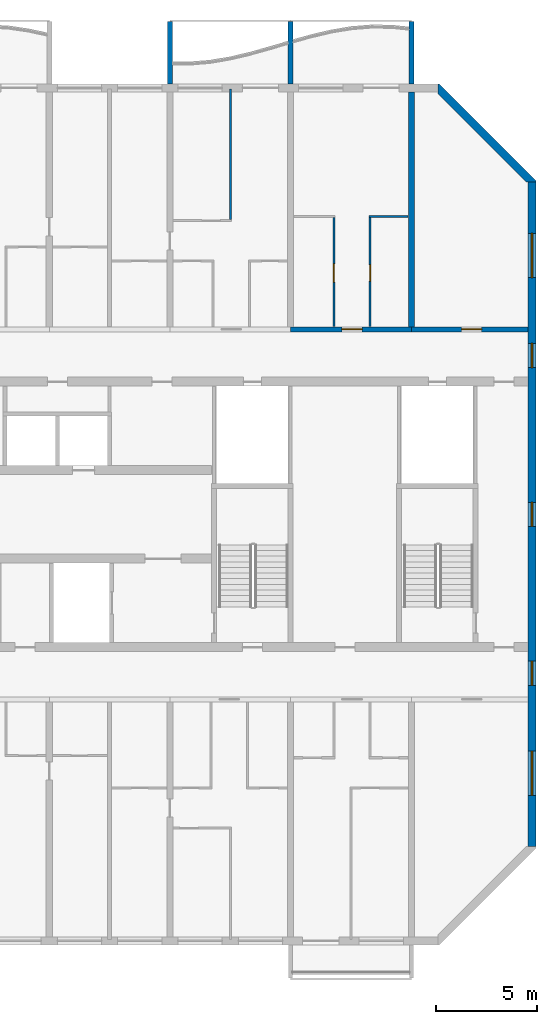
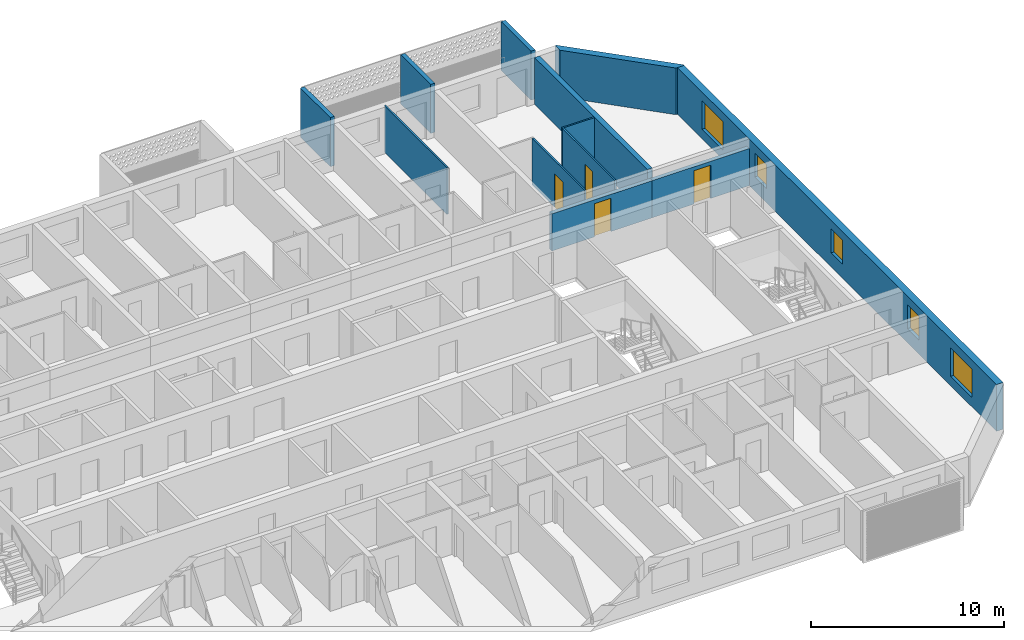
# One storey, part 11 of 26: 12 walls, 5 windows, 4 doors, 9 openings.
"""IFC4 building model written with IfcOpenShell, lengths in metres."""

from ifc_helpers import new_model, si_unit, direction, frame, frame_2d, origin, place, context, subcontext, project, spatial, polyline, rectangle, outline, extrude, source, transform, mapped, material, layer, layer_set, type_object, element, fill, save


model = new_model("IFC4")

# Units and contexts
model_context = context("Model", 3, precision=1e-05, world=origin(), true_north=direction((0.0, 1.0)))
body_context = subcontext(model_context, "Body", "Model", "MODEL_VIEW")
ifc_project = project(units=[si_unit("LENGTHUNIT", "METRE"), si_unit("AREAUNIT", "SQUARE_METRE"), si_unit("VOLUMEUNIT", "CUBIC_METRE"), si_unit("PLANEANGLEUNIT", "RADIAN"), si_unit("MASSUNIT", "GRAM", prefix="KILO")], contexts=[model_context])

# Site, building, storey
site_placement = place(None, origin())
site = spatial("IfcSite", under=ifc_project, at=site_placement, CompositionType="ELEMENT")
building_placement = place(site_placement, origin())
building = spatial("IfcBuilding", under=site, at=building_placement, Name="Poui Terraces", CompositionType="ELEMENT")
storey_placement = place(building_placement, frame((0.0, 0.0, 162.0)))
storey = spatial("IfcBuildingStorey", under=building, at=storey_placement, Name="L45", CompositionType="ELEMENT", Elevation=162.0)

# Wall, opening, door
ifc_material_1 = material(Name="Concrete 65 MPa", Category="concrete")
ifc_layer_1 = layer(ifc_material_1, 0.25)
ifc_layer_set_1 = layer_set([ifc_layer_1], Name="Concrete 65 MPa")
wall_type_1 = type_object("IfcWallType", Name="CORRIDOR WALL 250 65MPa", PredefinedType="SHEAR", material=ifc_layer_set_1)
wall_1_placement = place(storey_placement, frame((72.0, 30.39990234375, 0.0), z_axis=(0.0, 0.0, 1.0), x_axis=(1.0, 0.0, 0.0)))
wall_1 = element("IfcWall", 1, at=wall_1_placement, inside=storey, type_object=wall_type_1, Name="CORRIDOR WALL LINE E BAY 10", PredefinedType="SHEAR", context=body_context, shape_type="SweptSolid", body=[
    extrude(rectangle(XDim=6.0, YDim=0.25, at=frame_2d((3.0, 0.0))), origin(), (0.0, 0.0, 1.0), 2.35009765625),
])
opening_1_placement = place(wall_1_placement, frame((2.550048828125, 0.0, 0.0)))
opening_1 = element("IfcOpeningElement", 2, at=opening_1_placement, cuts=wall_1, Name="Opening FD30S", PredefinedType="OPENING", context=body_context, shape_type="SweptSolid", body=[
    extrude(rectangle(XDim=1.0, YDim=2.10009765625, at=frame_2d((0.5, 1.050048828125))), frame((0.0, 0.135009765625, 0.0), z_axis=(0.0, -1.0, 0.0), x_axis=(1.0, 0.0, 0.0)), (0.0, 0.0, 1.0), 0.27001953125),
])
ifc_material_2 = material(Name="Steel fire door", Category="steel")
door_type_1 = type_object("IfcDoorType", Name="FLAT ENTRANCE DOOR 1000 X 2100", OperationType="NOTDEFINED", PredefinedType="DOOR", material=ifc_material_2)
door_1_placement = place(opening_1_placement, origin())
door_1 = element("IfcDoor", 3, at=door_1_placement, inside=storey, type_object=door_type_1, Name="FLAT ENTRANCE DOOR 057", OperationType="SINGLE_SWING_RIGHT", OverallHeight=2.10009765625, OverallWidth=1.0, PredefinedType="DOOR", context=body_context, shape_type="SweptSolid", body=[
    extrude(rectangle(XDim=1.0, YDim=2.10009765625, at=frame_2d((0.5, 1.050048828125))), frame((0.0, 0.02490234375, 0.0), z_axis=(0.0, -1.0, 0.0), x_axis=(1.0, 0.0, 0.0)), (0.0, 0.0, 1.0), 0.050048828125),
])
fill(opening_1, door_1)

wall_2_placement = place(storey_placement, frame((78.0, 30.39990234375, 0.0), z_axis=(0.0, 0.0, 1.0), x_axis=(1.0, 0.0, 0.0)))
wall_2 = element("IfcWall", 4, at=wall_2_placement, inside=storey, type_object=wall_type_1, Name="CORRIDOR WALL LINE E BAY 11", PredefinedType="SHEAR", context=body_context, shape_type="SweptSolid", body=[
    extrude(rectangle(XDim=5.800048828125, YDim=0.25, at=frame_2d((2.89990234375, 0.0))), origin(), (0.0, 0.0, 1.0), 2.35009765625),
])
opening_2_placement = place(wall_2_placement, frame((2.5, 0.0, 0.0)))
opening_2 = element("IfcOpeningElement", 5, at=opening_2_placement, cuts=wall_2, Name="Opening D100", PredefinedType="OPENING", context=body_context, shape_type="SweptSolid", body=[
    extrude(rectangle(XDim=1.0, YDim=2.10009765625, at=frame_2d((0.5, 1.050048828125))), frame((0.0, 0.135009765625, 0.0), z_axis=(0.0, -1.0, 0.0), x_axis=(1.0, 0.0, 0.0)), (0.0, 0.0, 1.0), 0.27001953125),
])
ifc_material_3 = material(Name="Solid core timber door", Category="wood")
door_type_2 = type_object("IfcDoorType", Name="ACCESSIBLE INTERNAL DOOR 1000 X 2100", OperationType="NOTDEFINED", PredefinedType="DOOR", material=ifc_material_3)
door_2_placement = place(opening_2_placement, origin())
door_2 = element("IfcDoor", 6, at=door_2_placement, inside=storey, type_object=door_type_2, Name="ACCESSIBLE INTERNAL DOOR 059", OperationType="SINGLE_SWING_LEFT", OverallHeight=2.10009765625, OverallWidth=1.0, PredefinedType="DOOR", context=body_context, shape_type="SweptSolid", body=[
    extrude(rectangle(XDim=1.0, YDim=2.10009765625, at=frame_2d((0.5, 1.050048828125))), frame((0.0, 0.02490234375, 0.0), z_axis=(0.0, -1.0, 0.0), x_axis=(1.0, 0.0, 0.0)), (0.0, 0.0, 1.0), 0.050048828125),
])
fill(opening_2, door_2)

# Wall
ifc_layer_2 = layer(ifc_material_1, 0.300048828125)
ifc_layer_set_2 = layer_set([ifc_layer_2], Name="Concrete 65 MPa")
wall_type_2 = type_object("IfcWallType", Name="CROSS WALL 300 65MPa", PredefinedType="SHEAR", material=ifc_layer_set_2)
wall_3_placement = place(storey_placement, frame((78.0, 30.52490234375, 0.0), z_axis=(0.0, 0.0, 1.0), x_axis=(0.0, 1.0, 0.0)))
element("IfcWall", 7, at=wall_3_placement, inside=storey, type_object=wall_type_2, Name="CROSS WALL LINE 14 NORTH", PredefinedType="SHEAR", context=body_context, shape_type="SweptSolid", body=[
    extrude(rectangle(XDim=11.675048828125, YDim=0.300048828125, at=frame_2d((5.83740234375, 0.0))), origin(), (0.0, 0.0, 1.0), 2.949951171875),
])

# Wall, openings, windows
ifc_layer_3 = layer(ifc_material_1, 0.39990234375)
ifc_layer_set_3 = layer_set([ifc_layer_3], Name="Concrete 65 MPa")
wall_type_3 = type_object("IfcWallType", Name="END WALL 400 65MPa", PredefinedType="SHEAR", material=ifc_layer_set_3)
wall_4_placement = place(storey_placement, frame((84.0, 4.682861328125, 0.0), z_axis=(0.0, 0.0, 1.0), x_axis=(0.0, 1.0, 0.0)))
wall_4 = element("IfcWall", 8, at=wall_4_placement, inside=storey, type_object=wall_type_3, Name="END WALL EAST", PredefinedType="SHEAR", context=body_context, shape_type="SweptSolid", body=[
    extrude(rectangle(XDim=33.034423828125, YDim=0.39990234375, at=frame_2d((16.51708984375, 0.0))), origin(), (0.0, 0.0, 1.0), 2.949951171875),
])
opening_3_placement = place(wall_4_placement, frame((23.817138671875, 0.0, 0.89990234375)))
opening_3 = element("IfcOpeningElement", 9, at=opening_3_placement, cuts=wall_4, Name="Opening W2", PredefinedType="OPENING", context=body_context, shape_type="SweptSolid", body=[
    extrude(rectangle(XDim=1.199951171875, YDim=1.5, at=frame_2d((0.60009765625, 0.75))), frame((0.0, 0.2099609375, 0.0), z_axis=(0.0, -1.0, 0.0), x_axis=(1.0, 0.0, 0.0)), (0.0, 0.0, 1.0), 0.419921875),
])
opening_4_placement = place(wall_4_placement, frame((8.01708984375, 0.0, 0.89990234375)))
opening_4 = element("IfcOpeningElement", 10, at=opening_4_placement, cuts=wall_4, Name="Opening W2", PredefinedType="OPENING", context=body_context, shape_type="SweptSolid", body=[
    extrude(rectangle(XDim=1.199951171875, YDim=1.5, at=frame_2d((0.60009765625, 0.75))), frame((0.0, 0.2099609375, 0.0), z_axis=(0.0, -1.0, 0.0), x_axis=(1.0, 0.0, 0.0)), (0.0, 0.0, 1.0), 0.419921875),
])
opening_5_placement = place(wall_4_placement, frame((28.29345703125, 0.0, 0.60009765625)))
opening_5 = element("IfcOpeningElement", 11, at=opening_5_placement, cuts=wall_4, Name="Opening W3", PredefinedType="OPENING", context=body_context, shape_type="SweptSolid", body=[
    extrude(rectangle(XDim=2.199951171875, YDim=1.800048828125, at=frame_2d((1.10009765625, 0.89990234375))), frame((0.0, 0.2099609375, 0.0), z_axis=(0.0, -1.0, 0.0), x_axis=(1.0, 0.0, 0.0)), (0.0, 0.0, 1.0), 0.419921875),
])
opening_6_placement = place(wall_4_placement, frame((2.541015625, 0.0, 0.60009765625)))
opening_6 = element("IfcOpeningElement", 12, at=opening_6_placement, cuts=wall_4, Name="Opening W3", PredefinedType="OPENING", context=body_context, shape_type="SweptSolid", body=[
    extrude(rectangle(XDim=2.199951171875, YDim=1.800048828125, at=frame_2d((1.10009765625, 0.89990234375))), frame((0.0, 0.2099609375, 0.0), z_axis=(0.0, -1.0, 0.0), x_axis=(1.0, 0.0, 0.0)), (0.0, 0.0, 1.0), 0.419921875),
])
opening_7_placement = place(wall_4_placement, frame((15.917236328125, 0.0, 0.89990234375)))
opening_7 = element("IfcOpeningElement", 13, at=opening_7_placement, cuts=wall_4, Name="Opening W2", PredefinedType="OPENING", context=body_context, shape_type="SweptSolid", body=[
    extrude(rectangle(XDim=1.199951171875, YDim=1.5, at=frame_2d((0.60009765625, 0.75))), frame((0.0, 0.2099609375, 0.0), z_axis=(0.0, -1.0, 0.0), x_axis=(1.0, 0.0, 0.0)), (0.0, 0.0, 1.0), 0.419921875),
])
ifc_material_4 = material(Name="Clear glass in aluminium frame", Category="aluminium")
window_type_1 = type_object("IfcWindowType", Name="WINDOW 1200X1500", PartitioningType="SINGLE_PANEL", PredefinedType="WINDOW", material=ifc_material_4)
window_1_placement = place(opening_3_placement, origin())
window_1 = element("IfcWindow", 14, at=window_1_placement, inside=storey, type_object=window_type_1, Name="W2 WINDOW", OverallHeight=1.5, OverallWidth=1.199951171875, PartitioningType="SINGLE_PANEL", PredefinedType="WINDOW", context=body_context, shape_type="SweptSolid", body=[
    extrude(rectangle(XDim=1.199951171875, YDim=1.5, at=frame_2d((0.60009765625, 0.75))), frame((0.0, 0.030029296875, 0.0), z_axis=(0.0, -1.0, 0.0), x_axis=(1.0, 0.0, 0.0)), (0.0, 0.0, 1.0), 0.06005859375),
])
fill(opening_3, window_1)
window_2_placement = place(opening_4_placement, origin())
window_2 = element("IfcWindow", 15, at=window_2_placement, inside=storey, type_object=window_type_1, Name="W2 WINDOW", OverallHeight=1.5, OverallWidth=1.199951171875, PartitioningType="SINGLE_PANEL", PredefinedType="WINDOW", context=body_context, shape_type="SweptSolid", body=[
    extrude(rectangle(XDim=1.199951171875, YDim=1.5, at=frame_2d((0.60009765625, 0.75))), frame((0.0, 0.030029296875, 0.0), z_axis=(0.0, -1.0, 0.0), x_axis=(1.0, 0.0, 0.0)), (0.0, 0.0, 1.0), 0.06005859375),
])
fill(opening_4, window_2)
window_3_placement = place(opening_7_placement, origin())
window_3 = element("IfcWindow", 16, at=window_3_placement, inside=storey, type_object=window_type_1, Name="W2 WINDOW", OverallHeight=1.5, OverallWidth=1.199951171875, PartitioningType="SINGLE_PANEL", PredefinedType="WINDOW", context=body_context, shape_type="SweptSolid", body=[
    extrude(rectangle(XDim=1.199951171875, YDim=1.5, at=frame_2d((0.60009765625, 0.75))), frame((0.0, 0.030029296875, 0.0), z_axis=(0.0, -1.0, 0.0), x_axis=(1.0, 0.0, 0.0)), (0.0, 0.0, 1.0), 0.06005859375),
])
fill(opening_7, window_3)
window_type_2 = type_object("IfcWindowType", Name="WINDOW 2200X1800", PartitioningType="DOUBLE_PANEL_HORIZONTAL", PredefinedType="WINDOW", material=ifc_material_4)
window_4_placement = place(opening_5_placement, origin())
window_4 = element("IfcWindow", 17, at=window_4_placement, inside=storey, type_object=window_type_2, Name="W3 WINDOW", OverallHeight=1.800048828125, OverallWidth=2.199951171875, PartitioningType="DOUBLE_PANEL_HORIZONTAL", PredefinedType="WINDOW", context=body_context, shape_type="SweptSolid", body=[
    extrude(rectangle(XDim=2.199951171875, YDim=1.800048828125, at=frame_2d((1.10009765625, 0.89990234375))), frame((0.0, 0.030029296875, 0.0), z_axis=(0.0, -1.0, 0.0), x_axis=(1.0, 0.0, 0.0)), (0.0, 0.0, 1.0), 0.06005859375),
])
fill(opening_5, window_4)
window_5_placement = place(opening_6_placement, origin())
window_5 = element("IfcWindow", 18, at=window_5_placement, inside=storey, type_object=window_type_2, Name="W3 WINDOW", OverallHeight=1.800048828125, OverallWidth=2.199951171875, PartitioningType="DOUBLE_PANEL_HORIZONTAL", PredefinedType="WINDOW", context=body_context, shape_type="SweptSolid", body=[
    extrude(rectangle(XDim=2.199951171875, YDim=1.800048828125, at=frame_2d((1.10009765625, 0.89990234375))), frame((0.0, 0.030029296875, 0.0), z_axis=(0.0, -1.0, 0.0), x_axis=(1.0, 0.0, 0.0)), (0.0, 0.0, 1.0), 0.06005859375),
])
fill(opening_6, window_5)

# Walls
ifc_material_5 = material(Name="Plasterboard partition")
ifc_layer_4 = layer(ifc_material_5, 0.10009765625)
ifc_layer_set_4 = layer_set([ifc_layer_4], Name="Plasterboard partition")
wall_type_4 = type_object("IfcWallType", Name="FLAT PARTITION 100", PredefinedType="PARTITIONING", material=ifc_layer_set_4)
wall_5_placement = place(storey_placement, frame((75.89990234375, 36.0, 0.0), z_axis=(0.0, 0.0, 1.0), x_axis=(1.0, 0.0, 0.0)))
element("IfcWall", 19, at=wall_5_placement, inside=storey, type_object=wall_type_4, Name="FLAT PARTITION 100", PredefinedType="PARTITIONING", context=body_context, shape_type="SweptSolid", body=[
    extrude(rectangle(XDim=1.940185546875, YDim=0.10009765625, at=frame_2d((0.97021484375, 0.0))), origin(), (0.0, 0.0, 1.0), 2.949951171875),
])
wall_6_placement = place(storey_placement, frame((69.0, 35.85009765625, 0.0), z_axis=(0.0, 0.0, 1.0), x_axis=(0.0, 1.0, 0.0)))
element("IfcWall", 20, at=wall_6_placement, inside=storey, type_object=wall_type_4, Name="FLAT PARTITION 100", PredefinedType="PARTITIONING", context=body_context, shape_type="SweptSolid", body=[
    extrude(rectangle(XDim=6.489990234375, YDim=0.10009765625, at=frame_2d((3.2451171875, 0.0))), origin(), (0.0, 0.0, 1.0), 2.949951171875),
])

# Wall, opening, door
wall_7_placement = place(storey_placement, frame((74.14990234375, 30.534912109375, 0.0), z_axis=(0.0, 0.0, 1.0), x_axis=(0.0, 1.0, 0.0)))
wall_7 = element("IfcWall", 21, at=wall_7_placement, inside=storey, type_object=wall_type_4, Name="FLAT PARTITION 100", PredefinedType="PARTITIONING", context=body_context, shape_type="SweptSolid", body=[
    extrude(rectangle(XDim=5.4150390625, YDim=0.10009765625, at=frame_2d((2.70751953125, 0.0))), origin(), (0.0, 0.0, 1.0), 2.949951171875),
])
opening_8_placement = place(wall_7_placement, frame((2.215087890625, 0.0, 0.0)))
opening_8 = element("IfcOpeningElement", 22, at=opening_8_placement, cuts=wall_7, Name="Opening D90", PredefinedType="OPENING", context=body_context, shape_type="SweptSolid", body=[
    extrude(rectangle(XDim=0.89990234375, YDim=2.10009765625, at=frame_2d((0.449951171875, 1.050048828125))), frame((0.0, 0.06005859375, 0.0), z_axis=(0.0, -1.0, 0.0), x_axis=(1.0, 0.0, 0.0)), (0.0, 0.0, 1.0), 0.1201171875),
])
door_type_3 = type_object("IfcDoorType", Name="INTERNAL DOOR 900 X 2100", OperationType="NOTDEFINED", PredefinedType="DOOR", material=ifc_material_3)
door_3_placement = place(opening_8_placement, origin())
door_3 = element("IfcDoor", 23, at=door_3_placement, inside=storey, type_object=door_type_3, Name="INTERNAL DOOR 056", OperationType="SINGLE_SWING_RIGHT", OverallHeight=2.10009765625, OverallWidth=0.89990234375, PredefinedType="DOOR", context=body_context, shape_type="SweptSolid", body=[
    extrude(rectangle(XDim=0.89990234375, YDim=2.10009765625, at=frame_2d((0.449951171875, 1.050048828125))), frame((0.0, 0.02490234375, 0.0), z_axis=(0.0, -1.0, 0.0), x_axis=(1.0, 0.0, 0.0)), (0.0, 0.0, 1.0), 0.050048828125),
])
fill(opening_8, door_3)

wall_8_placement = place(storey_placement, frame((75.949951171875, 30.534912109375, 0.0), z_axis=(0.0, 0.0, 1.0), x_axis=(0.0, 1.0, 0.0)))
wall_8 = element("IfcWall", 24, at=wall_8_placement, inside=storey, type_object=wall_type_4, Name="FLAT PARTITION 100", PredefinedType="PARTITIONING", context=body_context, shape_type="SweptSolid", body=[
    extrude(rectangle(XDim=5.4150390625, YDim=0.10009765625, at=frame_2d((2.70751953125, 0.0))), origin(), (0.0, 0.0, 1.0), 2.949951171875),
])
opening_9_placement = place(wall_8_placement, frame((2.264892578125, 0.0, 0.0)))
opening_9 = element("IfcOpeningElement", 25, at=opening_9_placement, cuts=wall_8, Name="Opening D80", PredefinedType="OPENING", context=body_context, shape_type="SweptSolid", body=[
    extrude(rectangle(XDim=0.800048828125, YDim=2.10009765625, at=frame_2d((0.39990234375, 1.050048828125))), frame((0.0, 0.06005859375, 0.0), z_axis=(0.0, -1.0, 0.0), x_axis=(1.0, 0.0, 0.0)), (0.0, 0.0, 1.0), 0.1201171875),
])
door_type_4 = type_object("IfcDoorType", Name="BATHROOM, LAUNDRY AND STORE DOOR 800 X 2100", OperationType="NOTDEFINED", PredefinedType="DOOR", material=ifc_material_3)
door_4_placement = place(opening_9_placement, frame((0.800048828125, 0.0, 0.0), z_axis=(0.0, 0.0, 1.0), x_axis=(-1.0, 0.0, 0.0)))
door_4 = element("IfcDoor", 26, at=door_4_placement, inside=storey, type_object=door_type_4, Name="BATHROOM, LAUNDRY AND STORE DOOR 058", OperationType="SINGLE_SWING_RIGHT", OverallHeight=2.10009765625, OverallWidth=0.800048828125, PredefinedType="DOOR", context=body_context, shape_type="SweptSolid", body=[
    extrude(rectangle(XDim=0.800048828125, YDim=2.10009765625, at=frame_2d((0.39990234375, 1.050048828125))), frame((0.0, 0.02490234375, 0.0), z_axis=(0.0, -1.0, 0.0), x_axis=(1.0, 0.0, 0.0)), (0.0, 0.0, 1.0), 0.050048828125),
])
fill(opening_9, door_4)

# Walls
ifc_material_6 = material(Name="Precast concrete 40 MPa", Category="concrete")
ifc_layer_5 = layer(ifc_material_6, 0.39990234375)
ifc_layer_set_5 = layer_set([ifc_layer_5], Name="Precast concrete 40 MPa")
wall_type_5 = type_object("IfcWallType", Name="TERRACOTTA CLAD CHAMFER WALL 400", PredefinedType="STANDARD", material=ifc_layer_set_5)
wall_9_placement = place(storey_placement, origin())
element("IfcWall", 27, at=wall_9_placement, inside=storey, type_object=wall_type_5, Name="CHAMFER WALL CH03", PredefinedType="STANDARD", context=body_context, shape_type="SweptSolid", body=[
    extrude(outline(polyline([(84.199951171875, 37.71728515625), (84.199951171875, 37.800048828125), (79.39990234375, 42.60009765625), (79.317138671875, 42.60009765625), (79.317138671875, 42.1171875), (83.71728515625, 37.71728515625), (84.199951171875, 37.71728515625)])), origin(), (0.0, 0.0, 1.0), 2.949951171875),
])
ifc_layer_6 = layer(ifc_material_6, 0.25)
ifc_layer_set_6 = layer_set([ifc_layer_6], Name="Precast concrete 40 MPa")
wall_type_6 = type_object("IfcWallType", Name="BALCONY FIN 250", PredefinedType="STANDARD", material=ifc_layer_set_6)
shared_shape = source(origin(), body_context, "Body", "SweptSolid", [
    extrude(outline(polyline([(0.0, 0.0), (0.25, 0.0), (0.25, 3.099853515625), (0.0, 3.099853515625), (0.0, 0.0)])), origin(), (0.0, 0.0, 1.0), 3.10009765625),
])
for number, where, name in (
    (28, (65.875, 42.60009765625, 0.0), "BALCONY FIN"),
    (29, (71.875, 42.60009765625, 0.0), "BALCONY FIN"),
    (30, (77.875, 42.60009765625, 0.0), "BALCONY FIN"),
):
    element("IfcWall", number, at=place(storey_placement, frame(where)), inside=storey, type_object=wall_type_6, Name=name, PredefinedType="STANDARD", context=body_context, shape_type="MappedRepresentation", body=[
        mapped(shared_shape, transform((0.0, 0.0, 0.0))),
    ])

save(model, "model.ifc")
